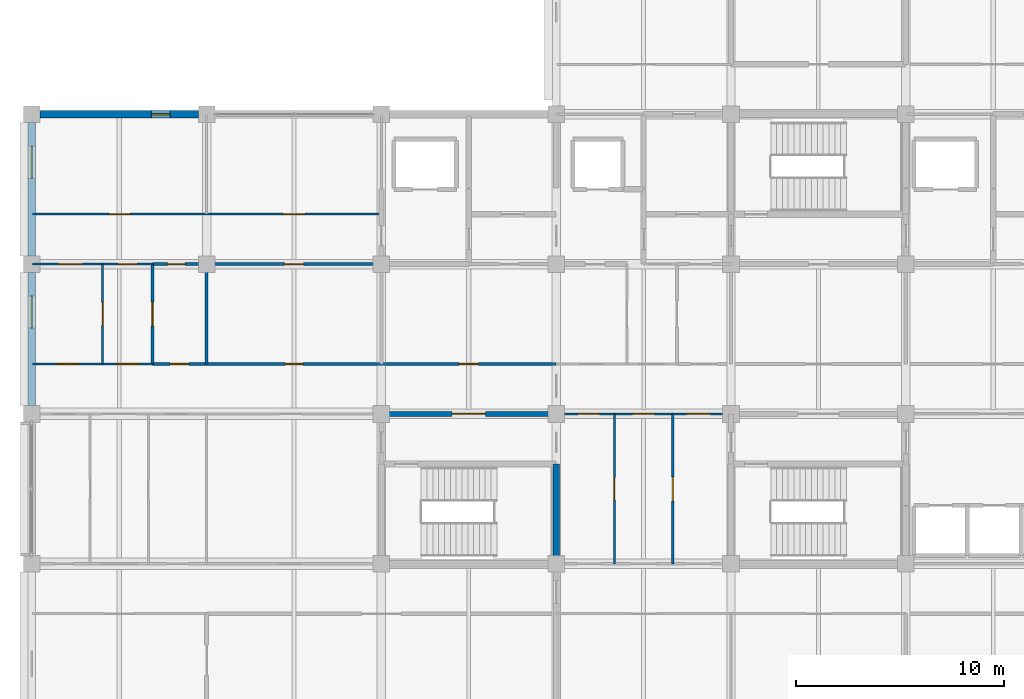
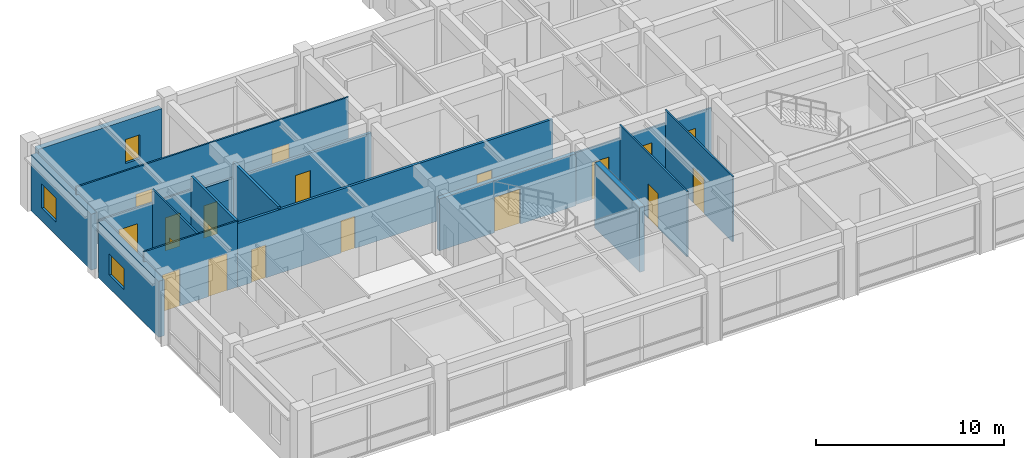
# One storey, part 16 of 30: 19 doors, 16 walls, 3 windows, 22 openings.
"""IFC4 building model written with IfcOpenShell, lengths in metres."""

from ifc_helpers import new_model, si_unit, direction, frame, frame_2d, origin, place, context, subcontext, project, spatial, rectangle, extrude, material, layer, layer_set, type_object, element, fill, save


model = new_model("IFC4")

# Units and contexts
model_context = context("Model", 3, precision=1e-05, world=origin(), true_north=direction((0.0, 1.0)))
body_context = subcontext(model_context, "Body", "Model", "MODEL_VIEW")
ifc_project = project(units=[si_unit("LENGTHUNIT", "METRE"), si_unit("AREAUNIT", "SQUARE_METRE"), si_unit("VOLUMEUNIT", "CUBIC_METRE"), si_unit("PLANEANGLEUNIT", "RADIAN"), si_unit("MASSUNIT", "GRAM", prefix="KILO")], contexts=[model_context])

# Site, building, storey
site_placement = place(None, origin())
site = spatial("IfcSite", under=ifc_project, at=site_placement, CompositionType="ELEMENT")
building_placement = place(site_placement, origin())
building = spatial("IfcBuilding", under=site, at=building_placement, Name="Chengyuan Square Courthouse", CompositionType="ELEMENT")
storey_placement = place(building_placement, frame((0.0, 0.0, 30.60009765625)))
storey = spatial("IfcBuildingStorey", under=building, at=storey_placement, Name="L07", CompositionType="ELEMENT", Elevation=30.60009765625)

# Wall, opening, window
ifc_material_1 = material(Name="Concrete C40", Category="concrete")
ifc_layer_1 = layer(ifc_material_1, 0.35009765625)
ifc_layer_set_1 = layer_set([ifc_layer_1], Name="Concrete C40")
wall_type_1 = type_object("IfcWallType", Name="WL-EW2", PredefinedType="STANDARD", material=ifc_layer_set_1)
wall_1_placement = place(storey_placement, frame((25.199951171875, 93.9951171875, 0.0), z_axis=(0.0, 0.0, 1.0), x_axis=(0.0, 1.0, 0.0)))
wall_1 = element("IfcWall", 1, at=wall_1_placement, inside=storey, type_object=wall_type_1, Name="Exterior Wall WL-L07-E378", PredefinedType="STANDARD", context=body_context, shape_type="SweptSolid", body=[
    extrude(rectangle(XDim=6.409912109375, YDim=0.35009765625, at=frame_2d((3.205078125, 0.0))), origin(), (0.0, 0.0, 1.0), 3.64990234375),
])
opening_1_placement = place(wall_1_placement, frame((3.72998046875, 0.0, 0.85009765625)))
opening_1 = element("IfcOpeningElement", 2, at=opening_1_placement, cuts=wall_1, Name="Opening WN-140", PredefinedType="OPENING", context=body_context, shape_type="SweptSolid", body=[
    extrude(rectangle(XDim=1.550048828125, YDim=1.3798828125, at=frame_2d((0.77490234375, 0.68994140625))), frame((0.0, 0.18701171875, 0.0), z_axis=(0.0, -1.0, 0.0), x_axis=(1.0, 0.0, 0.0)), (0.0, 0.0, 1.0), 0.3740234375),
])
ifc_material_2 = material(Name="Thermally Broken Aluminium Triple Low-E Window", Category="aluminium")
window_type_1 = type_object("IfcWindowType", Name="WT-26", PartitioningType="SINGLE_PANEL", PredefinedType="WINDOW", material=ifc_material_2)
window_1_placement = place(opening_1_placement, origin())
window_1 = element("IfcWindow", 3, at=window_1_placement, inside=storey, type_object=window_type_1, Name="Facade Window WN-140", OverallHeight=1.3798828125, OverallWidth=1.550048828125, PartitioningType="SINGLE_PANEL", PredefinedType="WINDOW", context=body_context, shape_type="SweptSolid", body=[
    extrude(rectangle(XDim=1.550048828125, YDim=1.3798828125, at=frame_2d((0.77490234375, 0.68994140625))), frame((0.0, 0.030029296875, 0.0), z_axis=(0.0, -1.0, 0.0), x_axis=(1.0, 0.0, 0.0)), (0.0, 0.0, 1.0), 0.06005859375),
])
fill(opening_1, window_1)

wall_2_placement = place(storey_placement, frame((25.594970703125, 108.0, 0.0), z_axis=(0.0, 0.0, 1.0), x_axis=(1.0, 0.0, 0.0)))
wall_2 = element("IfcWall", 4, at=wall_2_placement, inside=storey, type_object=wall_type_1, Name="Exterior Wall WL-L07-E379", PredefinedType="STANDARD", context=body_context, shape_type="SweptSolid", body=[
    extrude(rectangle(XDim=7.610107421875, YDim=0.35009765625, at=frame_2d((3.80517578125, 0.0))), origin(), (0.0, 0.0, 1.0), 3.64990234375),
])
opening_2_placement = place(wall_2_placement, frame((5.35498046875, 0.0, 0.85009765625)))
opening_2 = element("IfcOpeningElement", 5, at=opening_2_placement, cuts=wall_2, Name="Opening WN-141", PredefinedType="OPENING", context=body_context, shape_type="SweptSolid", body=[
    extrude(rectangle(XDim=0.89990234375, YDim=1.56005859375, at=frame_2d((0.449951171875, 0.780029296875))), frame((0.0, 0.18701171875, 0.0), z_axis=(0.0, -1.0, 0.0), x_axis=(1.0, 0.0, 0.0)), (0.0, 0.0, 1.0), 0.3740234375),
])
window_type_2 = type_object("IfcWindowType", Name="WT-03", PartitioningType="SINGLE_PANEL", PredefinedType="WINDOW", material=ifc_material_2)
window_2_placement = place(opening_2_placement, origin())
window_2 = element("IfcWindow", 6, at=window_2_placement, inside=storey, type_object=window_type_2, Name="Facade Window WN-141", OverallHeight=1.56005859375, OverallWidth=0.89990234375, PartitioningType="SINGLE_PANEL", PredefinedType="WINDOW", context=body_context, shape_type="SweptSolid", body=[
    extrude(rectangle(XDim=0.89990234375, YDim=1.56005859375, at=frame_2d((0.449951171875, 0.780029296875))), frame((0.0, 0.030029296875, 0.0), z_axis=(0.0, -1.0, 0.0), x_axis=(1.0, 0.0, 0.0)), (0.0, 0.0, 1.0), 0.06005859375),
])
fill(opening_2, window_2)

wall_3_placement = place(storey_placement, frame((25.199951171875, 101.195068359375, 0.0), z_axis=(0.0, 0.0, 1.0), x_axis=(0.0, 1.0, 0.0)))
wall_3 = element("IfcWall", 7, at=wall_3_placement, inside=storey, type_object=wall_type_1, Name="Exterior Wall WL-L07-E380", PredefinedType="STANDARD", context=body_context, shape_type="SweptSolid", body=[
    extrude(rectangle(XDim=6.409912109375, YDim=0.35009765625, at=frame_2d((3.205078125, 0.0))), origin(), (0.0, 0.0, 1.0), 3.64990234375),
])
opening_3_placement = place(wall_3_placement, frame((3.72998046875, 0.0, 0.85009765625)))
opening_3 = element("IfcOpeningElement", 8, at=opening_3_placement, cuts=wall_3, Name="Opening WN-142", PredefinedType="OPENING", context=body_context, shape_type="SweptSolid", body=[
    extrude(rectangle(XDim=1.550048828125, YDim=1.56005859375, at=frame_2d((0.77490234375, 0.780029296875))), frame((0.0, 0.18701171875, 0.0), z_axis=(0.0, -1.0, 0.0), x_axis=(1.0, 0.0, 0.0)), (0.0, 0.0, 1.0), 0.3740234375),
])
window_type_3 = type_object("IfcWindowType", Name="WT-27", PartitioningType="SINGLE_PANEL", PredefinedType="WINDOW", material=ifc_material_2)
window_3_placement = place(opening_3_placement, origin())
window_3 = element("IfcWindow", 9, at=window_3_placement, inside=storey, type_object=window_type_3, Name="Facade Window WN-142", OverallHeight=1.56005859375, OverallWidth=1.550048828125, PartitioningType="SINGLE_PANEL", PredefinedType="WINDOW", context=body_context, shape_type="SweptSolid", body=[
    extrude(rectangle(XDim=1.550048828125, YDim=1.56005859375, at=frame_2d((0.77490234375, 0.780029296875))), frame((0.0, 0.030029296875, 0.0), z_axis=(0.0, -1.0, 0.0), x_axis=(1.0, 0.0, 0.0)), (0.0, 0.0, 1.0), 0.06005859375),
])
fill(opening_3, window_3)

# Wall, opening, door
ifc_layer_2 = layer(ifc_material_1, 0.25)
ifc_layer_set_2 = layer_set([ifc_layer_2], Name="Concrete C40")
wall_type_2 = type_object("IfcWallType", Name="WL-FW1", PredefinedType="STANDARD", material=ifc_layer_set_2)
wall_4_placement = place(storey_placement, frame((42.0, 93.60009765625, 0.0), z_axis=(0.0, 0.0, 1.0), x_axis=(1.0, 0.0, 0.0)))
wall_4 = element("IfcWall", 10, at=wall_4_placement, inside=storey, type_object=wall_type_2, Name="Interior Wall WL-L07-I2649", PredefinedType="STANDARD", context=body_context, shape_type="SweptSolid", body=[
    extrude(rectangle(XDim=8.39990234375, YDim=0.25, at=frame_2d((4.199951171875, 0.0))), origin(), (0.0, 0.0, 1.0), 3.389892578125),
])
opening_4_placement = place(wall_4_placement, frame((3.39990234375, 0.0, 0.0)))
opening_4 = element("IfcOpeningElement", 11, at=opening_4_placement, cuts=wall_4, Name="Opening DR-2321", PredefinedType="OPENING", context=body_context, shape_type="SweptSolid", body=[
    extrude(rectangle(XDim=1.60009765625, YDim=2.300048828125, at=frame_2d((0.800048828125, 1.14990234375))), frame((0.0, 0.136962890625, 0.0), z_axis=(0.0, -1.0, 0.0), x_axis=(1.0, 0.0, 0.0)), (0.0, 0.0, 1.0), 0.27392578125),
])
ifc_material_3 = material(Name="Steel Q235B Glazed Fire Door", Category="steel")
door_type_1 = type_object("IfcDoorType", Name="DT-17", OperationType="DOUBLE_DOOR_SINGLE_SWING", PredefinedType="DOOR", material=ifc_material_3)
door_1_placement = place(opening_4_placement, frame((1.60009765625, 0.0, 0.0), z_axis=(0.0, 0.0, 1.0), x_axis=(-1.0, 0.0, 0.0)))
door_1 = element("IfcDoor", 12, at=door_1_placement, inside=storey, type_object=door_type_1, Name="Interior Door DR-2321", OperationType="DOUBLE_DOOR_SINGLE_SWING", OverallHeight=2.300048828125, OverallWidth=1.60009765625, PredefinedType="DOOR", context=body_context, shape_type="SweptSolid", body=[
    extrude(rectangle(XDim=1.60009765625, YDim=2.300048828125, at=frame_2d((0.800048828125, 1.14990234375))), frame((0.0, 0.02490234375, 0.0), z_axis=(0.0, -1.0, 0.0), x_axis=(1.0, 0.0, 0.0)), (0.0, 0.0, 1.0), 0.050048828125),
])
fill(opening_4, door_1)

# Wall, openings, doors
ifc_material_4 = material(Name="Deliberation Room Sound-Insulated Partition")
ifc_layer_3 = layer(ifc_material_4, 0.14990234375)
ifc_layer_set_3 = layer_set([ifc_layer_3], Name="Deliberation Room Sound-Insulated Partition")
wall_type_3 = type_object("IfcWallType", Name="WL-PT3", PredefinedType="STANDARD", material=ifc_layer_set_3)
wall_5_placement = place(storey_placement, frame((31.0, 96.0, 0.0), z_axis=(0.0, 0.0, 1.0), x_axis=(1.0, 0.0, 0.0)))
wall_5 = element("IfcWall", 13, at=wall_5_placement, inside=storey, type_object=wall_type_3, Name="Interior Wall WL-L07-I2658", PredefinedType="STANDARD", context=body_context, shape_type="SweptSolid", body=[
    extrude(rectangle(XDim=19.39990234375, YDim=0.14990234375, at=frame_2d((9.699951171875, 0.0))), origin(), (0.0, 0.0, 1.0), 4.14990234375),
])
opening_5_placement = place(wall_5_placement, frame((0.85009765625, 0.0, 0.0)))
opening_5 = element("IfcOpeningElement", 14, at=opening_5_placement, cuts=wall_5, Name="Opening DR-2390", PredefinedType="OPENING", context=body_context, shape_type="SweptSolid", body=[
    extrude(rectangle(XDim=0.89990234375, YDim=2.14990234375, at=frame_2d((0.449951171875, 1.074951171875))), frame((0.0, 0.0869140625, 0.0), z_axis=(0.0, -1.0, 0.0), x_axis=(1.0, 0.0, 0.0)), (0.0, 0.0, 1.0), 0.173828125),
])
opening_6_placement = place(wall_5_placement, frame((6.3701171875, 0.0, 0.0)))
opening_6 = element("IfcOpeningElement", 15, at=opening_6_placement, cuts=wall_5, Name="Opening DR-2391", PredefinedType="OPENING", context=body_context, shape_type="SweptSolid", body=[
    extrude(rectangle(XDim=0.860107421875, YDim=2.10009765625, at=frame_2d((0.43017578125, 1.050048828125))), frame((0.0, 0.0869140625, 0.0), z_axis=(0.0, -1.0, 0.0), x_axis=(1.0, 0.0, 0.0)), (0.0, 0.0, 1.0), 0.173828125),
])
opening_7_placement = place(wall_5_placement, frame((14.739990234375, 0.0, 0.0)))
opening_7 = element("IfcOpeningElement", 16, at=opening_7_placement, cuts=wall_5, Name="Opening DR-2392", PredefinedType="OPENING", context=body_context, shape_type="SweptSolid", body=[
    extrude(rectangle(XDim=0.919921875, YDim=2.14990234375, at=frame_2d((0.4599609375, 1.074951171875))), frame((0.0, 0.0869140625, 0.0), z_axis=(0.0, -1.0, 0.0), x_axis=(1.0, 0.0, 0.0)), (0.0, 0.0, 1.0), 0.173828125),
])
ifc_material_5 = material(Name="Acoustic Solid-Core Timber Door", Category="wood")
door_type_2 = type_object("IfcDoorType", Name="DT-27", OperationType="NOTDEFINED", PredefinedType="DOOR", material=ifc_material_5)
door_2_placement = place(opening_5_placement, origin())
door_2 = element("IfcDoor", 17, at=door_2_placement, inside=storey, type_object=door_type_2, Name="Interior Door DR-2390", OperationType="SINGLE_SWING_LEFT", OverallHeight=2.14990234375, OverallWidth=0.89990234375, PredefinedType="DOOR", context=body_context, shape_type="SweptSolid", body=[
    extrude(rectangle(XDim=0.89990234375, YDim=2.14990234375, at=frame_2d((0.449951171875, 1.074951171875))), frame((0.0, 0.02490234375, 0.0), z_axis=(0.0, -1.0, 0.0), x_axis=(1.0, 0.0, 0.0)), (0.0, 0.0, 1.0), 0.050048828125),
])
fill(opening_5, door_2)
door_type_3 = type_object("IfcDoorType", Name="DT-28", OperationType="NOTDEFINED", PredefinedType="DOOR", material=ifc_material_5)
door_3_placement = place(opening_6_placement, origin())
door_3 = element("IfcDoor", 18, at=door_3_placement, inside=storey, type_object=door_type_3, Name="Interior Door DR-2391", OperationType="SINGLE_SWING_RIGHT", OverallHeight=2.10009765625, OverallWidth=0.860107421875, PredefinedType="DOOR", context=body_context, shape_type="SweptSolid", body=[
    extrude(rectangle(XDim=0.860107421875, YDim=2.10009765625, at=frame_2d((0.43017578125, 1.050048828125))), frame((0.0, 0.02490234375, 0.0), z_axis=(0.0, -1.0, 0.0), x_axis=(1.0, 0.0, 0.0)), (0.0, 0.0, 1.0), 0.050048828125),
])
fill(opening_6, door_3)
door_type_4 = type_object("IfcDoorType", Name="DT-29", OperationType="NOTDEFINED", PredefinedType="DOOR", material=ifc_material_5)
door_4_placement = place(opening_7_placement, origin())
door_4 = element("IfcDoor", 19, at=door_4_placement, inside=storey, type_object=door_type_4, Name="Interior Door DR-2392", OperationType="SINGLE_SWING_LEFT", OverallHeight=2.14990234375, OverallWidth=0.919921875, PredefinedType="DOOR", context=body_context, shape_type="SweptSolid", body=[
    extrude(rectangle(XDim=0.919921875, YDim=2.14990234375, at=frame_2d((0.4599609375, 1.074951171875))), frame((0.0, 0.02490234375, 0.0), z_axis=(0.0, -1.0, 0.0), x_axis=(1.0, 0.0, 0.0)), (0.0, 0.0, 1.0), 0.050048828125),
])
fill(opening_7, door_4)

wall_6_placement = place(storey_placement, frame((31.0, 100.800048828125, 0.0), z_axis=(0.0, 0.0, 1.0), x_axis=(1.0, 0.0, 0.0)))
wall_6 = element("IfcWall", 20, at=wall_6_placement, inside=storey, type_object=wall_type_3, Name="Interior Wall WL-L07-I2668", PredefinedType="STANDARD", context=body_context, shape_type="SweptSolid", body=[
    extrude(rectangle(XDim=11.0, YDim=0.14990234375, at=frame_2d((5.5, 0.0))), origin(), (0.0, 0.0, 1.0), 3.2998046875),
])
opening_8_placement = place(wall_6_placement, frame((0.7099609375, 0.0, 0.0)))
opening_8 = element("IfcOpeningElement", 21, at=opening_8_placement, cuts=wall_6, Name="Opening DR-2374", PredefinedType="OPENING", context=body_context, shape_type="SweptSolid", body=[
    extrude(rectangle(XDim=0.860107421875, YDim=2.10009765625, at=frame_2d((0.43017578125, 1.050048828125))), frame((0.0, 0.0869140625, 0.0), z_axis=(0.0, -1.0, 0.0), x_axis=(1.0, 0.0, 0.0)), (0.0, 0.0, 1.0), 0.173828125),
])
opening_9_placement = place(wall_6_placement, frame((6.340087890625, 0.0, 0.0)))
opening_9 = element("IfcOpeningElement", 22, at=opening_9_placement, cuts=wall_6, Name="Opening DR-2375", PredefinedType="OPENING", context=body_context, shape_type="SweptSolid", body=[
    extrude(rectangle(XDim=0.919921875, YDim=2.14990234375, at=frame_2d((0.4599609375, 1.074951171875))), frame((0.0, 0.0869140625, 0.0), z_axis=(0.0, -1.0, 0.0), x_axis=(1.0, 0.0, 0.0)), (0.0, 0.0, 1.0), 0.173828125),
])
door_5_placement = place(opening_8_placement, origin())
door_5 = element("IfcDoor", 23, at=door_5_placement, inside=storey, type_object=door_type_3, Name="Interior Door DR-2374", OperationType="SINGLE_SWING_RIGHT", OverallHeight=2.10009765625, OverallWidth=0.860107421875, PredefinedType="DOOR", context=body_context, shape_type="SweptSolid", body=[
    extrude(rectangle(XDim=0.860107421875, YDim=2.10009765625, at=frame_2d((0.43017578125, 1.050048828125))), frame((0.0, 0.02490234375, 0.0), z_axis=(0.0, -1.0, 0.0), x_axis=(1.0, 0.0, 0.0)), (0.0, 0.0, 1.0), 0.050048828125),
])
fill(opening_8, door_5)
door_6_placement = place(opening_9_placement, origin())
door_6 = element("IfcDoor", 24, at=door_6_placement, inside=storey, type_object=door_type_4, Name="Interior Door DR-2375", OperationType="SINGLE_SWING_LEFT", OverallHeight=2.14990234375, OverallWidth=0.919921875, PredefinedType="DOOR", context=body_context, shape_type="SweptSolid", body=[
    extrude(rectangle(XDim=0.919921875, YDim=2.14990234375, at=frame_2d((0.4599609375, 1.074951171875))), frame((0.0, 0.02490234375, 0.0), z_axis=(0.0, -1.0, 0.0), x_axis=(1.0, 0.0, 0.0)), (0.0, 0.0, 1.0), 0.050048828125),
])
fill(opening_9, door_6)

# Wall, opening, door
wall_7_placement = place(storey_placement, frame((31.0, 96.0, 0.0), z_axis=(0.0, 0.0, 1.0), x_axis=(0.0, 1.0, 0.0)))
wall_7 = element("IfcWall", 25, at=wall_7_placement, inside=storey, type_object=wall_type_3, Name="Interior Wall WL-L07-I2740", PredefinedType="STANDARD", context=body_context, shape_type="SweptSolid", body=[
    extrude(rectangle(XDim=4.800048828125, YDim=0.14990234375, at=frame_2d((2.39990234375, 0.0))), origin(), (0.0, 0.0, 1.0), 4.2998046875),
])
opening_10_placement = place(wall_7_placement, frame((1.820068359375, 0.0, 0.0)))
opening_10 = element("IfcOpeningElement", 26, at=opening_10_placement, cuts=wall_7, Name="Opening DR-2432", PredefinedType="OPENING", context=body_context, shape_type="SweptSolid", body=[
    extrude(rectangle(XDim=1.159912109375, YDim=2.300048828125, at=frame_2d((0.580078125, 1.14990234375))), frame((0.0, 0.0869140625, 0.0), z_axis=(0.0, -1.0, 0.0), x_axis=(1.0, 0.0, 0.0)), (0.0, 0.0, 1.0), 0.173828125),
])
door_type_5 = type_object("IfcDoorType", Name="DT-35", OperationType="NOTDEFINED", PredefinedType="DOOR", material=ifc_material_5)
door_7_placement = place(opening_10_placement, origin())
door_7 = element("IfcDoor", 27, at=door_7_placement, inside=storey, type_object=door_type_5, Name="Interior Door DR-2432", OperationType="SINGLE_SWING_LEFT", OverallHeight=2.300048828125, OverallWidth=1.159912109375, PredefinedType="DOOR", context=body_context, shape_type="SweptSolid", body=[
    extrude(rectangle(XDim=1.159912109375, YDim=2.300048828125, at=frame_2d((0.580078125, 1.14990234375))), frame((0.0, 0.02490234375, 0.0), z_axis=(0.0, -1.0, 0.0), x_axis=(1.0, 0.0, 0.0)), (0.0, 0.0, 1.0), 0.050048828125),
])
fill(opening_10, door_7)

# Wall
wall_8_placement = place(storey_placement, frame((33.60009765625, 96.0, 0.0), z_axis=(0.0, 0.0, 1.0), x_axis=(0.0, 1.0, 0.0)))
element("IfcWall", 28, at=wall_8_placement, inside=storey, type_object=wall_type_3, Name="Interior Wall WL-L07-I2743", PredefinedType="STANDARD", context=body_context, shape_type="SweptSolid", body=[
    extrude(rectangle(XDim=4.800048828125, YDim=0.14990234375, at=frame_2d((2.39990234375, 0.0))), origin(), (0.0, 0.0, 1.0), 4.2998046875),
])

# Wall, openings, doors
ifc_material_6 = material(Name="Gypsum Plasterboard Acoustic Stud Partition")
ifc_layer_4 = layer(ifc_material_6, 0.10009765625)
ifc_layer_set_4 = layer_set([ifc_layer_4], Name="Gypsum Plasterboard Acoustic Stud Partition")
wall_type_4 = type_object("IfcWallType", Name="WL-PT6", PredefinedType="STANDARD", material=ifc_layer_set_4)
wall_9_placement = place(storey_placement, frame((50.39990234375, 93.60009765625, 0.0), z_axis=(0.0, 0.0, 1.0), x_axis=(1.0, 0.0, 0.0)))
wall_9 = element("IfcWall", 29, at=wall_9_placement, inside=storey, type_object=wall_type_4, Name="Interior Wall WL-L07-I2650", PredefinedType="STANDARD", context=body_context, shape_type="SweptSolid", body=[
    extrude(rectangle(XDim=8.400146484375, YDim=0.10009765625, at=frame_2d((4.2001953125, 0.0))), origin(), (0.0, 0.0, 1.0), 3.389892578125),
])
opening_11_placement = place(wall_9_placement, frame((1.050048828125, 0.0, 0.0)))
opening_11 = element("IfcOpeningElement", 30, at=opening_11_placement, cuts=wall_9, Name="Opening DR-2404", PredefinedType="OPENING", context=body_context, shape_type="SweptSolid", body=[
    extrude(rectangle(XDim=1.02001953125, YDim=2.39990234375, at=frame_2d((0.510009765625, 1.199951171875))), frame((0.0, 0.06201171875, 0.0), z_axis=(0.0, -1.0, 0.0), x_axis=(1.0, 0.0, 0.0)), (0.0, 0.0, 1.0), 0.1240234375),
])
opening_12_placement = place(wall_9_placement, frame((3.669921875, 0.0, 0.0)))
opening_12 = element("IfcOpeningElement", 31, at=opening_12_placement, cuts=wall_9, Name="Opening DR-2405", PredefinedType="OPENING", context=body_context, shape_type="SweptSolid", body=[
    extrude(rectangle(XDim=1.06005859375, YDim=2.39990234375, at=frame_2d((0.530029296875, 1.199951171875))), frame((0.0, 0.06201171875, 0.0), z_axis=(0.0, -1.0, 0.0), x_axis=(1.0, 0.0, 0.0)), (0.0, 0.0, 1.0), 0.1240234375),
])
opening_13_placement = place(wall_9_placement, frame((6.27001953125, 0.0, 0.0)))
opening_13 = element("IfcOpeningElement", 32, at=opening_13_placement, cuts=wall_9, Name="Opening DR-2406", PredefinedType="OPENING", context=body_context, shape_type="SweptSolid", body=[
    extrude(rectangle(XDim=1.139892578125, YDim=2.39990234375, at=frame_2d((0.56982421875, 1.199951171875))), frame((0.0, 0.06201171875, 0.0), z_axis=(0.0, -1.0, 0.0), x_axis=(1.0, 0.0, 0.0)), (0.0, 0.0, 1.0), 0.1240234375),
])
door_type_6 = type_object("IfcDoorType", Name="DT-41", OperationType="NOTDEFINED", PredefinedType="DOOR", material=ifc_material_5)
door_8_placement = place(opening_11_placement, origin())
door_8 = element("IfcDoor", 33, at=door_8_placement, inside=storey, type_object=door_type_6, Name="Interior Door DR-2404", OperationType="SINGLE_SWING_RIGHT", OverallHeight=2.39990234375, OverallWidth=1.02001953125, PredefinedType="DOOR", context=body_context, shape_type="SweptSolid", body=[
    extrude(rectangle(XDim=1.02001953125, YDim=2.39990234375, at=frame_2d((0.510009765625, 1.199951171875))), frame((0.0, 0.02490234375, 0.0), z_axis=(0.0, -1.0, 0.0), x_axis=(1.0, 0.0, 0.0)), (0.0, 0.0, 1.0), 0.050048828125),
])
fill(opening_11, door_8)
door_type_7 = type_object("IfcDoorType", Name="DT-42", OperationType="NOTDEFINED", PredefinedType="DOOR", material=ifc_material_5)
door_9_placement = place(opening_12_placement, origin())
door_9 = element("IfcDoor", 34, at=door_9_placement, inside=storey, type_object=door_type_7, Name="Interior Door DR-2405", OperationType="SINGLE_SWING_LEFT", OverallHeight=2.39990234375, OverallWidth=1.06005859375, PredefinedType="DOOR", context=body_context, shape_type="SweptSolid", body=[
    extrude(rectangle(XDim=1.06005859375, YDim=2.39990234375, at=frame_2d((0.530029296875, 1.199951171875))), frame((0.0, 0.02490234375, 0.0), z_axis=(0.0, -1.0, 0.0), x_axis=(1.0, 0.0, 0.0)), (0.0, 0.0, 1.0), 0.050048828125),
])
fill(opening_12, door_9)
door_type_8 = type_object("IfcDoorType", Name="DT-43", OperationType="NOTDEFINED", PredefinedType="DOOR", material=ifc_material_5)
door_10_placement = place(opening_13_placement, origin())
door_10 = element("IfcDoor", 35, at=door_10_placement, inside=storey, type_object=door_type_8, Name="Interior Door DR-2406", OperationType="SINGLE_SWING_RIGHT", OverallHeight=2.39990234375, OverallWidth=1.139892578125, PredefinedType="DOOR", context=body_context, shape_type="SweptSolid", body=[
    extrude(rectangle(XDim=1.139892578125, YDim=2.39990234375, at=frame_2d((0.56982421875, 1.199951171875))), frame((0.0, 0.02490234375, 0.0), z_axis=(0.0, -1.0, 0.0), x_axis=(1.0, 0.0, 0.0)), (0.0, 0.0, 1.0), 0.050048828125),
])
fill(opening_13, door_10)

wall_10_placement = place(storey_placement, frame((25.239990234375, 96.0, 0.0), z_axis=(0.0, 0.0, 1.0), x_axis=(1.0, 0.0, 0.0)))
wall_10 = element("IfcWall", 36, at=wall_10_placement, inside=storey, type_object=wall_type_4, Name="Interior Wall WL-L07-I2657", PredefinedType="STANDARD", context=body_context, shape_type="SweptSolid", body=[
    extrude(rectangle(XDim=5.760009765625, YDim=0.10009765625, at=frame_2d((2.8798828125, 0.0))), origin(), (0.0, 0.0, 1.0), 4.2998046875),
])
opening_14_placement = place(wall_10_placement, frame((1.14990234375, 0.0, 0.0)))
opening_14 = element("IfcOpeningElement", 37, at=opening_14_placement, cuts=wall_10, Name="Opening DR-2388", PredefinedType="OPENING", context=body_context, shape_type="SweptSolid", body=[
    extrude(rectangle(XDim=1.06005859375, YDim=2.39990234375, at=frame_2d((0.530029296875, 1.199951171875))), frame((0.0, 0.06201171875, 0.0), z_axis=(0.0, -1.0, 0.0), x_axis=(1.0, 0.0, 0.0)), (0.0, 0.0, 1.0), 0.1240234375),
])
opening_15_placement = place(wall_10_placement, frame((3.989990234375, 0.0, 0.0)))
opening_15 = element("IfcOpeningElement", 38, at=opening_15_placement, cuts=wall_10, Name="Opening DR-2389", PredefinedType="OPENING", context=body_context, shape_type="SweptSolid", body=[
    extrude(rectangle(XDim=1.139892578125, YDim=2.39990234375, at=frame_2d((0.56982421875, 1.199951171875))), frame((0.0, 0.06201171875, 0.0), z_axis=(0.0, -1.0, 0.0), x_axis=(1.0, 0.0, 0.0)), (0.0, 0.0, 1.0), 0.1240234375),
])
door_11_placement = place(opening_14_placement, origin())
door_11 = element("IfcDoor", 39, at=door_11_placement, inside=storey, type_object=door_type_7, Name="Interior Door DR-2388", OperationType="SINGLE_SWING_LEFT", OverallHeight=2.39990234375, OverallWidth=1.06005859375, PredefinedType="DOOR", context=body_context, shape_type="SweptSolid", body=[
    extrude(rectangle(XDim=1.06005859375, YDim=2.39990234375, at=frame_2d((0.530029296875, 1.199951171875))), frame((0.0, 0.02490234375, 0.0), z_axis=(0.0, -1.0, 0.0), x_axis=(1.0, 0.0, 0.0)), (0.0, 0.0, 1.0), 0.050048828125),
])
fill(opening_14, door_11)
door_12_placement = place(opening_15_placement, origin())
door_12 = element("IfcDoor", 40, at=door_12_placement, inside=storey, type_object=door_type_8, Name="Interior Door DR-2389", OperationType="SINGLE_SWING_RIGHT", OverallHeight=2.39990234375, OverallWidth=1.139892578125, PredefinedType="DOOR", context=body_context, shape_type="SweptSolid", body=[
    extrude(rectangle(XDim=1.139892578125, YDim=2.39990234375, at=frame_2d((0.56982421875, 1.199951171875))), frame((0.0, 0.02490234375, 0.0), z_axis=(0.0, -1.0, 0.0), x_axis=(1.0, 0.0, 0.0)), (0.0, 0.0, 1.0), 0.050048828125),
])
fill(opening_15, door_12)

wall_11_placement = place(storey_placement, frame((25.239990234375, 100.800048828125, 0.0), z_axis=(0.0, 0.0, 1.0), x_axis=(1.0, 0.0, 0.0)))
wall_11 = element("IfcWall", 41, at=wall_11_placement, inside=storey, type_object=wall_type_4, Name="Interior Wall WL-L07-I2667", PredefinedType="STANDARD", context=body_context, shape_type="SweptSolid", body=[
    extrude(rectangle(XDim=5.760009765625, YDim=0.10009765625, at=frame_2d((2.8798828125, 0.0))), origin(), (0.0, 0.0, 1.0), 3.449951171875),
])
opening_16_placement = place(wall_11_placement, frame((1.25, 0.0, 0.0)))
opening_16 = element("IfcOpeningElement", 42, at=opening_16_placement, cuts=wall_11, Name="Opening DR-2372", PredefinedType="OPENING", context=body_context, shape_type="SweptSolid", body=[
    extrude(rectangle(XDim=1.139892578125, YDim=2.39990234375, at=frame_2d((0.56982421875, 1.199951171875))), frame((0.0, 0.06201171875, 0.0), z_axis=(0.0, -1.0, 0.0), x_axis=(1.0, 0.0, 0.0)), (0.0, 0.0, 1.0), 0.1240234375),
])
opening_17_placement = place(wall_11_placement, frame((4.110107421875, 0.0, 0.0)))
opening_17 = element("IfcOpeningElement", 43, at=opening_17_placement, cuts=wall_11, Name="Opening DR-2373", PredefinedType="OPENING", context=body_context, shape_type="SweptSolid", body=[
    extrude(rectangle(XDim=0.89990234375, YDim=2.14990234375, at=frame_2d((0.449951171875, 1.074951171875))), frame((0.0, 0.06201171875, 0.0), z_axis=(0.0, -1.0, 0.0), x_axis=(1.0, 0.0, 0.0)), (0.0, 0.0, 1.0), 0.1240234375),
])
door_13_placement = place(opening_17_placement, origin())
door_13 = element("IfcDoor", 44, at=door_13_placement, inside=storey, type_object=door_type_2, Name="Interior Door DR-2373", OperationType="SINGLE_SWING_LEFT", OverallHeight=2.14990234375, OverallWidth=0.89990234375, PredefinedType="DOOR", context=body_context, shape_type="SweptSolid", body=[
    extrude(rectangle(XDim=0.89990234375, YDim=2.14990234375, at=frame_2d((0.449951171875, 1.074951171875))), frame((0.0, 0.02490234375, 0.0), z_axis=(0.0, -1.0, 0.0), x_axis=(1.0, 0.0, 0.0)), (0.0, 0.0, 1.0), 0.050048828125),
])
fill(opening_17, door_13)
door_14_placement = place(opening_16_placement, origin())
door_14 = element("IfcDoor", 45, at=door_14_placement, inside=storey, type_object=door_type_8, Name="Interior Door DR-2372", OperationType="SINGLE_SWING_RIGHT", OverallHeight=2.39990234375, OverallWidth=1.139892578125, PredefinedType="DOOR", context=body_context, shape_type="SweptSolid", body=[
    extrude(rectangle(XDim=1.139892578125, YDim=2.39990234375, at=frame_2d((0.56982421875, 1.199951171875))), frame((0.0, 0.02490234375, 0.0), z_axis=(0.0, -1.0, 0.0), x_axis=(1.0, 0.0, 0.0)), (0.0, 0.0, 1.0), 0.050048828125),
])
fill(opening_16, door_14)

wall_12_placement = place(storey_placement, frame((25.239990234375, 103.199951171875, 0.0), z_axis=(0.0, 0.0, 1.0), x_axis=(1.0, 0.0, 0.0)))
wall_12 = element("IfcWall", 46, at=wall_12_placement, inside=storey, type_object=wall_type_4, Name="Interior Wall WL-L07-I2686", PredefinedType="STANDARD", context=body_context, shape_type="SweptSolid", body=[
    extrude(rectangle(XDim=16.760009765625, YDim=0.10009765625, at=frame_2d((8.3798828125, 0.0))), origin(), (0.0, 0.0, 1.0), 4.14990234375),
])
opening_18_placement = place(wall_12_placement, frame((3.669921875, 0.0, 0.0)))
opening_18 = element("IfcOpeningElement", 47, at=opening_18_placement, cuts=wall_12, Name="Opening DR-2370", PredefinedType="OPENING", context=body_context, shape_type="SweptSolid", body=[
    extrude(rectangle(XDim=1.02001953125, YDim=2.39990234375, at=frame_2d((0.510009765625, 1.199951171875))), frame((0.0, 0.06201171875, 0.0), z_axis=(0.0, -1.0, 0.0), x_axis=(1.0, 0.0, 0.0)), (0.0, 0.0, 1.0), 0.1240234375),
])
opening_19_placement = place(wall_12_placement, frame((12.030029296875, 0.0, 0.0)))
opening_19 = element("IfcOpeningElement", 48, at=opening_19_placement, cuts=wall_12, Name="Opening DR-2371", PredefinedType="OPENING", context=body_context, shape_type="SweptSolid", body=[
    extrude(rectangle(XDim=1.06005859375, YDim=2.39990234375, at=frame_2d((0.530029296875, 1.199951171875))), frame((0.0, 0.06201171875, 0.0), z_axis=(0.0, -1.0, 0.0), x_axis=(1.0, 0.0, 0.0)), (0.0, 0.0, 1.0), 0.1240234375),
])
door_15_placement = place(opening_18_placement, origin())
door_15 = element("IfcDoor", 49, at=door_15_placement, inside=storey, type_object=door_type_6, Name="Interior Door DR-2370", OperationType="SINGLE_SWING_RIGHT", OverallHeight=2.39990234375, OverallWidth=1.02001953125, PredefinedType="DOOR", context=body_context, shape_type="SweptSolid", body=[
    extrude(rectangle(XDim=1.02001953125, YDim=2.39990234375, at=frame_2d((0.510009765625, 1.199951171875))), frame((0.0, 0.02490234375, 0.0), z_axis=(0.0, -1.0, 0.0), x_axis=(1.0, 0.0, 0.0)), (0.0, 0.0, 1.0), 0.050048828125),
])
fill(opening_18, door_15)
door_16_placement = place(opening_19_placement, origin())
door_16 = element("IfcDoor", 50, at=door_16_placement, inside=storey, type_object=door_type_7, Name="Interior Door DR-2371", OperationType="SINGLE_SWING_LEFT", OverallHeight=2.39990234375, OverallWidth=1.06005859375, PredefinedType="DOOR", context=body_context, shape_type="SweptSolid", body=[
    extrude(rectangle(XDim=1.06005859375, YDim=2.39990234375, at=frame_2d((0.530029296875, 1.199951171875))), frame((0.0, 0.02490234375, 0.0), z_axis=(0.0, -1.0, 0.0), x_axis=(1.0, 0.0, 0.0)), (0.0, 0.0, 1.0), 0.050048828125),
])
fill(opening_19, door_16)

# Wall, opening, door
wall_13_placement = place(storey_placement, frame((28.60009765625, 96.0, 0.0), z_axis=(0.0, 0.0, 1.0), x_axis=(0.0, 1.0, 0.0)))
wall_13 = element("IfcWall", 51, at=wall_13_placement, inside=storey, type_object=wall_type_4, Name="Interior Wall WL-L07-I2738", PredefinedType="STANDARD", context=body_context, shape_type="SweptSolid", body=[
    extrude(rectangle(XDim=4.800048828125, YDim=0.10009765625, at=frame_2d((2.39990234375, 0.0))), origin(), (0.0, 0.0, 1.0), 4.2998046875),
])
opening_20_placement = place(wall_13_placement, frame((1.840087890625, 0.0, 0.0)))
opening_20 = element("IfcOpeningElement", 52, at=opening_20_placement, cuts=wall_13, Name="Opening DR-2431", PredefinedType="OPENING", context=body_context, shape_type="SweptSolid", body=[
    extrude(rectangle(XDim=1.1201171875, YDim=2.25, at=frame_2d((0.56005859375, 1.125))), frame((0.0, 0.06201171875, 0.0), z_axis=(0.0, -1.0, 0.0), x_axis=(1.0, 0.0, 0.0)), (0.0, 0.0, 1.0), 0.1240234375),
])
door_type_9 = type_object("IfcDoorType", Name="DT-34", OperationType="NOTDEFINED", PredefinedType="DOOR", material=ifc_material_5)
door_17_placement = place(opening_20_placement, origin())
door_17 = element("IfcDoor", 53, at=door_17_placement, inside=storey, type_object=door_type_9, Name="Interior Door DR-2431", OperationType="SINGLE_SWING_RIGHT", OverallHeight=2.25, OverallWidth=1.1201171875, PredefinedType="DOOR", context=body_context, shape_type="SweptSolid", body=[
    extrude(rectangle(XDim=1.1201171875, YDim=2.25, at=frame_2d((0.56005859375, 1.125))), frame((0.0, 0.02490234375, 0.0), z_axis=(0.0, -1.0, 0.0), x_axis=(1.0, 0.0, 0.0)), (0.0, 0.0, 1.0), 0.050048828125),
])
fill(opening_20, door_17)

wall_14_placement = place(storey_placement, frame((53.199951171875, 86.39990234375, 0.0), z_axis=(0.0, 0.0, 1.0), x_axis=(0.0, 1.0, 0.0)))
wall_14 = element("IfcWall", 54, at=wall_14_placement, inside=storey, type_object=wall_type_4, Name="Interior Wall WL-L07-I2759", PredefinedType="STANDARD", context=body_context, shape_type="SweptSolid", body=[
    extrude(rectangle(XDim=7.2001953125, YDim=0.10009765625, at=frame_2d((3.60009765625, 0.0))), origin(), (0.0, 0.0, 1.0), 4.239990234375),
])
opening_21_placement = place(wall_14_placement, frame((3.06005859375, 0.0, 0.0)))
opening_21 = element("IfcOpeningElement", 55, at=opening_21_placement, cuts=wall_14, Name="Opening DR-2447", PredefinedType="OPENING", context=body_context, shape_type="SweptSolid", body=[
    extrude(rectangle(XDim=1.080078125, YDim=2.25, at=frame_2d((0.5400390625, 1.125))), frame((0.0, 0.06201171875, 0.0), z_axis=(0.0, -1.0, 0.0), x_axis=(1.0, 0.0, 0.0)), (0.0, 0.0, 1.0), 0.1240234375),
])
door_type_10 = type_object("IfcDoorType", Name="DT-33", OperationType="NOTDEFINED", PredefinedType="DOOR", material=ifc_material_5)
door_18_placement = place(opening_21_placement, origin())
door_18 = element("IfcDoor", 56, at=door_18_placement, inside=storey, type_object=door_type_10, Name="Interior Door DR-2447", OperationType="SINGLE_SWING_LEFT", OverallHeight=2.25, OverallWidth=1.080078125, PredefinedType="DOOR", context=body_context, shape_type="SweptSolid", body=[
    extrude(rectangle(XDim=1.080078125, YDim=2.25, at=frame_2d((0.5400390625, 1.125))), frame((0.0, 0.02490234375, 0.0), z_axis=(0.0, -1.0, 0.0), x_axis=(1.0, 0.0, 0.0)), (0.0, 0.0, 1.0), 0.050048828125),
])
fill(opening_21, door_18)

wall_15_placement = place(storey_placement, frame((56.0, 86.39990234375, 0.0), z_axis=(0.0, 0.0, 1.0), x_axis=(0.0, 1.0, 0.0)))
wall_15 = element("IfcWall", 57, at=wall_15_placement, inside=storey, type_object=wall_type_4, Name="Interior Wall WL-L07-I2764", PredefinedType="STANDARD", context=body_context, shape_type="SweptSolid", body=[
    extrude(rectangle(XDim=7.2001953125, YDim=0.10009765625, at=frame_2d((3.60009765625, 0.0))), origin(), (0.0, 0.0, 1.0), 4.239990234375),
])
opening_22_placement = place(wall_15_placement, frame((3.02001953125, 0.0, 0.0)))
opening_22 = element("IfcOpeningElement", 58, at=opening_22_placement, cuts=wall_15, Name="Opening DR-2449", PredefinedType="OPENING", context=body_context, shape_type="SweptSolid", body=[
    extrude(rectangle(XDim=1.159912109375, YDim=2.300048828125, at=frame_2d((0.580078125, 1.14990234375))), frame((0.0, 0.06201171875, 0.0), z_axis=(0.0, -1.0, 0.0), x_axis=(1.0, 0.0, 0.0)), (0.0, 0.0, 1.0), 0.1240234375),
])
door_19_placement = place(opening_22_placement, origin())
door_19 = element("IfcDoor", 59, at=door_19_placement, inside=storey, type_object=door_type_5, Name="Interior Door DR-2449", OperationType="SINGLE_SWING_LEFT", OverallHeight=2.300048828125, OverallWidth=1.159912109375, PredefinedType="DOOR", context=body_context, shape_type="SweptSolid", body=[
    extrude(rectangle(XDim=1.159912109375, YDim=2.300048828125, at=frame_2d((0.580078125, 1.14990234375))), frame((0.0, 0.02490234375, 0.0), z_axis=(0.0, -1.0, 0.0), x_axis=(1.0, 0.0, 0.0)), (0.0, 0.0, 1.0), 0.050048828125),
])
fill(opening_22, door_19)

# Wall
ifc_layer_5 = layer(ifc_material_1, 0.300048828125)
ifc_layer_set_5 = layer_set([ifc_layer_5], Name="Concrete C40")
wall_type_5 = type_object("IfcWallType", Name="WL-SW2", PredefinedType="SHEAR", material=ifc_layer_set_5)
wall_16_placement = place(storey_placement, frame((50.39990234375, 86.39990234375, 0.0), z_axis=(0.0, 0.0, 1.0), x_axis=(0.0, 1.0, 0.0)))
element("IfcWall", 60, at=wall_16_placement, inside=storey, type_object=wall_type_5, Name="Interior Wall WL-L07-I2755", PredefinedType="SHEAR", context=body_context, shape_type="SweptSolid", body=[
    extrude(rectangle(XDim=4.800048828125, YDim=0.300048828125, at=frame_2d((2.39990234375, 0.0))), origin(), (0.0, 0.0, 1.0), 4.239990234375),
])

save(model, "model.ifc")
